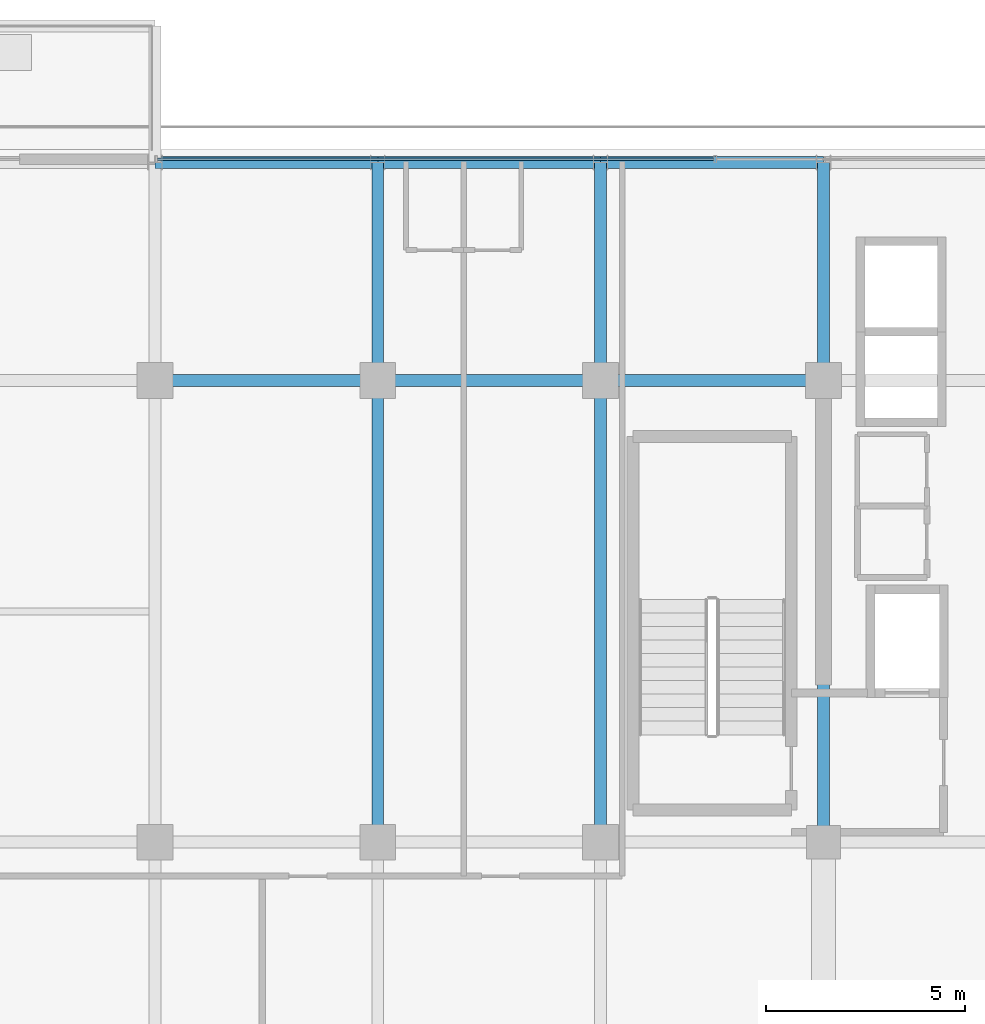
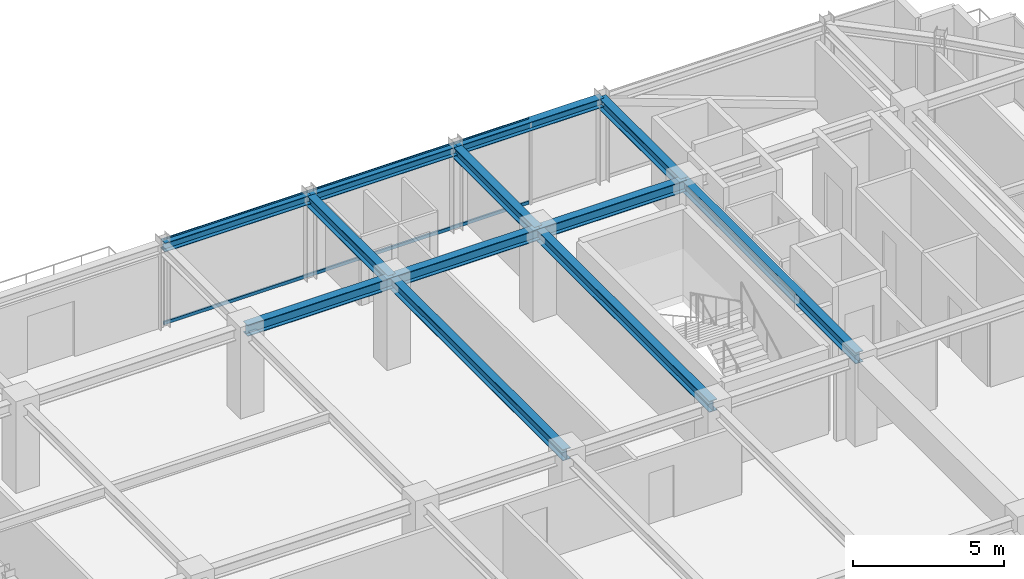
# One storey, part 19 of 32: 12 beams, 2 members, 1 element without a shape of its own.
"""IFC4 building model written with IfcOpenShell, lengths in metres."""

from ifc_helpers import new_model, si_unit, direction, frame, origin, origin_2d, place, context, subcontext, project, spatial, hollow_rectangle, i_section, extrude, source, transform, mapped, material, material_profile, profile_set, type_object, element, aggregate, save


model = new_model("IFC4")

# Units and contexts
model_context = context("Model", 3, precision=1e-05, world=origin(), true_north=direction((0.0, 1.0)))
body_context = subcontext(model_context, "Body", "Model", "MODEL_VIEW")
ifc_project = project(units=[si_unit("LENGTHUNIT", "METRE"), si_unit("AREAUNIT", "SQUARE_METRE"), si_unit("VOLUMEUNIT", "CUBIC_METRE"), si_unit("PLANEANGLEUNIT", "RADIAN"), si_unit("MASSUNIT", "GRAM", prefix="KILO")], contexts=[model_context])

# Site, building, storey
site_placement = place(None, origin())
site = spatial("IfcSite", under=ifc_project, at=site_placement, CompositionType="ELEMENT")
building_placement = place(site_placement, origin())
building = spatial("IfcBuilding", under=site, at=building_placement, Name="Nahalor Promenade Grand Hotel", CompositionType="ELEMENT")
storey_placement = place(building_placement, frame((0.0, 0.0, 266.300048828125)))
storey = spatial("IfcBuildingStorey", under=building, at=storey_placement, Name="L68", CompositionType="ELEMENT", Elevation=266.300048828125)

# Beams
ifc_material_1 = material(Name="Steel S355JR", Category="steel")
ifc_material_profile_1 = material_profile(ifc_material_1, i_section(OverallWidth=0.3, OverallDepth=0.45, WebThickness=0.014, FlangeThickness=0.026, at=origin_2d()), Name="HEB 450")
ifc_profile_set_1 = profile_set([ifc_material_profile_1], Name="Steel S355JR")
beam_type_1 = type_object("IfcBeamType", Name="Beam-Girder-HEB450", PredefinedType="BEAM", material=ifc_profile_set_1)
shared_shape_1 = source(origin(), body_context, "Body", "SweptSolid", [
    extrude(i_section(OverallWidth=0.3, OverallDepth=0.45, WebThickness=0.014, FlangeThickness=0.026, at=origin_2d()), origin(), (0.0, 0.0, 1.0), 5.599853515625),
])
for number, where, z_axis, x_axis, name in (
    (1, (-8.39990234375, 17.0, 3.224853515625), (1.0, 0.0, 0.0), (0.0, 1.0, 0.0), "BM-L68-GX-3-2"),
    (2, (2.800048828125, 17.0, 3.224853515625), (1.0, 0.0, 0.0), (0.0, 1.0, 0.0), "BM-L68-GX-3-4"),
):
    element("IfcBeam", number, at=place(storey_placement, frame(where, z_axis=z_axis, x_axis=x_axis)), inside=storey, type_object=beam_type_1, Name=name, PredefinedType="BEAM", context=body_context, shape_type="MappedRepresentation", body=[
        mapped(shared_shape_1, transform((0.0, 0.0, 0.0), scale=1.0)),
    ])
shared_shape_2 = source(origin(), body_context, "Body", "SweptSolid", [
    extrude(i_section(OverallWidth=0.3, OverallDepth=0.45, WebThickness=0.014, FlangeThickness=0.026, at=origin_2d()), origin(), (0.0, 0.0, 1.0), 5.60009765625),
])
beam_1_placement = place(storey_placement, frame((-2.800048828125, 17.0, 3.224853515625), z_axis=(1.0, 0.0, 0.0), x_axis=(0.0, 1.0, 0.0)))
element("IfcBeam", 3, at=beam_1_placement, inside=storey, type_object=beam_type_1, Name="BM-L68-GX-3-3", PredefinedType="BEAM", context=body_context, shape_type="MappedRepresentation", body=[
    mapped(shared_shape_2, transform((0.0, 0.0, 0.0), scale=1.0)),
])
shared_shape_3 = source(origin(), body_context, "Body", "SweptSolid", [
    extrude(i_section(OverallWidth=0.3, OverallDepth=0.45, WebThickness=0.014, FlangeThickness=0.026, at=origin_2d()), origin(), (0.0, 0.0, 1.0), 11.60009765625),
])
for number, where, z_axis, x_axis, name in (
    (4, (-2.800048828125, 5.39990234375, 3.224853515625), (0.0, 1.0, 0.0), (-1.0, 0.0, 0.0), "BM-L68-GY-2-3"),
    (5, (2.800048828125, 5.39990234375, 3.224853515625), (0.0, 1.0, 0.0), (-1.0, 0.0, 0.0), "BM-L68-GY-3-3"),
    (6, (8.39990234375, 5.39990234375, 3.224853515625), (0.0, 1.0, 0.0), (-1.0, 0.0, 0.0), "BM-L68-GY-4-3"),
):
    element("IfcBeam", number, at=place(storey_placement, frame(where, z_axis=z_axis, x_axis=x_axis)), inside=storey, type_object=beam_type_1, Name=name, PredefinedType="BEAM", context=body_context, shape_type="MappedRepresentation", body=[
        mapped(shared_shape_3, transform((0.0, 0.0, 0.0), scale=1.0)),
    ])
shared_shape_4 = source(origin(), body_context, "Body", "SweptSolid", [
    extrude(i_section(OverallWidth=0.3, OverallDepth=0.45, WebThickness=0.014, FlangeThickness=0.026, at=origin_2d()), origin(), (0.0, 0.0, 1.0), 5.47998046875),
])
for number, where, z_axis, x_axis, name in (
    (7, (-2.800048828125, 17.0, 3.224853515625), (0.0, 1.0, 0.0), (-1.0, 0.0, 0.0), "BM-L68-GY-2-4"),
    (8, (2.800048828125, 17.0, 3.224853515625), (0.0, 1.0, 0.0), (-1.0, 0.0, 0.0), "BM-L68-GY-3-4"),
    (9, (8.39990234375, 17.0, 3.224853515625), (0.0, 1.0, 0.0), (-1.0, 0.0, 0.0), "BM-L68-GY-4-4"),
):
    element("IfcBeam", number, at=place(storey_placement, frame(where, z_axis=z_axis, x_axis=x_axis)), inside=storey, type_object=beam_type_1, Name=name, PredefinedType="BEAM", context=body_context, shape_type="MappedRepresentation", body=[
        mapped(shared_shape_4, transform((0.0, 0.0, 0.0), scale=1.0)),
    ])
ifc_material_profile_2 = material_profile(ifc_material_1, i_section(OverallWidth=0.3, OverallDepth=0.36, WebThickness=0.0125, FlangeThickness=0.0225, at=origin_2d()), Name="HEB 360")
ifc_profile_set_2 = profile_set([ifc_material_profile_2], Name="Steel S355JR")
beam_type_2 = type_object("IfcBeamType", Name="Beam-Spandrel-HEB360", PredefinedType="SPANDREL", material=ifc_profile_set_2)
shared_shape_5 = source(origin(), body_context, "Body", "SweptSolid", [
    extrude(i_section(OverallWidth=0.3, OverallDepth=0.36, WebThickness=0.0125, FlangeThickness=0.0225, at=origin_2d()), origin(), (0.0, 0.0, 1.0), 5.599853515625),
])
for number, where, z_axis, x_axis, name in (
    (10, (-8.39990234375, 22.47998046875, 3.27001953125), (1.0, 0.0, 0.0), (0.0, 1.0, 0.0), "BM-L68-SP-N-1"),
    (11, (2.800048828125, 22.47998046875, 3.27001953125), (1.0, 0.0, 0.0), (0.0, 1.0, 0.0), "BM-L68-SP-N-3"),
):
    element("IfcBeam", number, at=place(storey_placement, frame(where, z_axis=z_axis, x_axis=x_axis)), inside=storey, type_object=beam_type_2, Name=name, PredefinedType="SPANDREL", context=body_context, shape_type="MappedRepresentation", body=[
        mapped(shared_shape_5, transform((0.0, 0.0, 0.0), scale=1.0)),
    ])
shared_shape_6 = source(origin(), body_context, "Body", "SweptSolid", [
    extrude(i_section(OverallWidth=0.3, OverallDepth=0.36, WebThickness=0.0125, FlangeThickness=0.0225, at=origin_2d()), origin(), (0.0, 0.0, 1.0), 5.60009765625),
])
beam_2_placement = place(storey_placement, frame((-2.800048828125, 22.47998046875, 3.27001953125), z_axis=(1.0, 0.0, 0.0), x_axis=(0.0, 1.0, 0.0)))
element("IfcBeam", 12, at=beam_2_placement, inside=storey, type_object=beam_type_2, Name="BM-L68-SP-N-2", PredefinedType="SPANDREL", context=body_context, shape_type="MappedRepresentation", body=[
    mapped(shared_shape_6, transform((0.0, 0.0, 0.0), scale=1.0)),
])

# Curtain wall, members
ifc_material_2 = material(Name="Anodised Bronze Aluminium EN AW-6063 T6", Category="aluminium")
curtain_wall_type = type_object("IfcCurtainWallType", Name="CW2 Typical Hotel Flush Bronze Unitised Curtain Wall", PredefinedType="USERDEFINED", material=ifc_material_2)
curtain_wall_placement = place(storey_placement, origin())
curtain_wall = element("IfcCurtainWall", 13, at=curtain_wall_placement, inside=storey, type_object=curtain_wall_type, Name="L68 Curtain Wall CW-L68-N-3", ObjectType="UNITISED_CURTAIN_WALL", PredefinedType="USERDEFINED")
ifc_material_profile_3 = material_profile(ifc_material_2, hollow_rectangle(XDim=0.065, YDim=0.13, WallThickness=0.004, at=origin_2d()), Name="CWT 65x130x4")
ifc_profile_set_3 = profile_set([ifc_material_profile_3], Name="Anodised Bronze Aluminium EN AW-6063 T6")
member_type = type_object("IfcMemberType", Name="CWT2 Typical Bronze Transom 65x130", PredefinedType="USERDEFINED", material=ifc_profile_set_3)
shared_shape_7 = source(origin(), body_context, "Body", "SweptSolid", [
    extrude(hollow_rectangle(XDim=0.065, YDim=0.13, WallThickness=0.004, at=origin_2d()), origin(), (0.0, 0.0, 1.0), 13.982421875),
])
member_1_placement = place(storey_placement, frame((-8.3349609375, 22.56005859375, 0.06494140625), z_axis=(1.0, 0.0, 0.0), x_axis=(0.0, 1.0, 0.0)))
member_1 = element("IfcMember", 14, at=member_1_placement, type_object=member_type, Name="CW-L68-N-3 Transom 0-0", ObjectType="TRANSOM", PredefinedType="USERDEFINED", context=body_context, shape_type="MappedRepresentation", body=[
    mapped(shared_shape_7, transform((0.0, 0.0, 0.0), scale=1.0)),
])
member_2_placement = place(storey_placement, frame((-8.3349609375, 22.56005859375, 3.385009765625), z_axis=(1.0, 0.0, 0.0), x_axis=(0.0, 1.0, 0.0)))
member_2 = element("IfcMember", 15, at=member_2_placement, type_object=member_type, Name="CW-L68-N-3 Transom 0-1", ObjectType="TRANSOM", PredefinedType="USERDEFINED", context=body_context, shape_type="MappedRepresentation", body=[
    mapped(shared_shape_7, transform((0.0, 0.0, 0.0), scale=1.0)),
])
aggregate(curtain_wall, [member_1, member_2])

save(model, "model.ifc")
